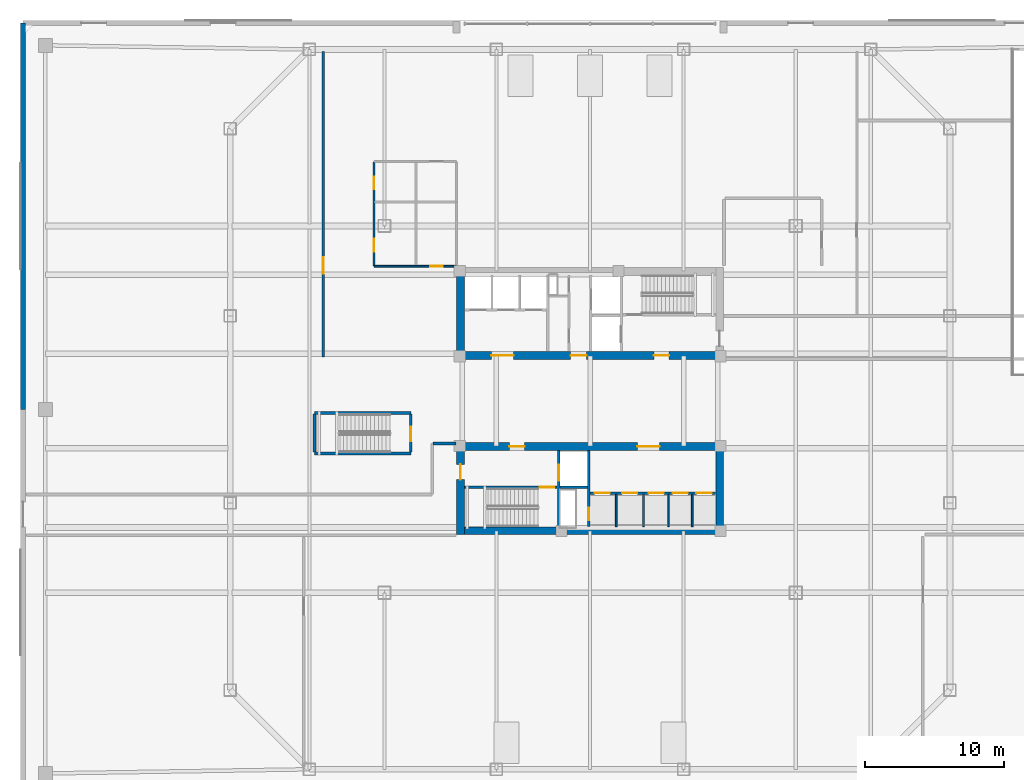
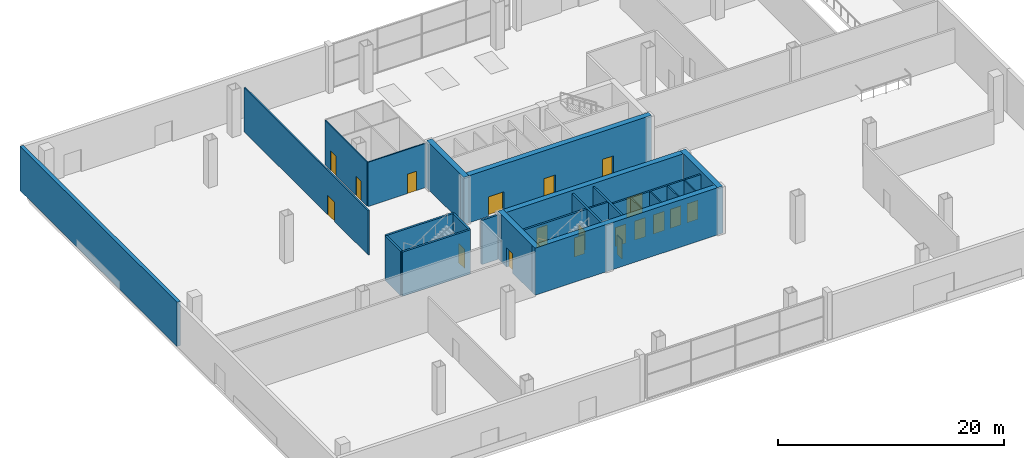
# One storey, part 12 of 21: 24 walls, 19 doors, 19 openings.
"""IFC4 building model written with IfcOpenShell, lengths in metres."""

from ifc_helpers import new_model, si_unit, direction, frame, frame_2d, origin, place, context, subcontext, project, spatial, rectangle, extrude, material, layer, layer_set, type_object, element, fill, save


model = new_model("IFC4")

# Units and contexts
model_context = context("Model", 3, precision=1e-05, world=origin(), true_north=direction((0.0, 1.0)))
body_context = subcontext(model_context, "Body", "Model", "MODEL_VIEW")
ifc_project = project(units=[si_unit("LENGTHUNIT", "METRE"), si_unit("AREAUNIT", "SQUARE_METRE"), si_unit("VOLUMEUNIT", "CUBIC_METRE"), si_unit("PLANEANGLEUNIT", "RADIAN"), si_unit("MASSUNIT", "GRAM", prefix="KILO")], contexts=[model_context])

# Site, building, storey
site_placement = place(None, origin())
site = spatial("IfcSite", under=ifc_project, at=site_placement, CompositionType="ELEMENT")
building_placement = place(site_placement, origin())
building = spatial("IfcBuilding", under=site, at=building_placement, Name="Qhalaya Broadcast Tower", CompositionType="ELEMENT")
storey_placement = place(building_placement, origin())
storey = spatial("IfcBuildingStorey", under=building, at=storey_placement, Name="L00", CompositionType="ELEMENT", Elevation=0.0)

# Wall, opening, door
ifc_material_1 = material(Name="Gypsum Acoustic Partition")
ifc_layer_1 = layer(ifc_material_1, 0.14990234375, Name="Gypsum Acoustic Partition")
ifc_layer_set_1 = layer_set([ifc_layer_1], Name="Gypsum Acoustic Partition")
wall_type_1 = type_object("IfcWallType", Name="Corridor & Tenancy Acoustic Partition 150", PredefinedType="PARTITIONING", material=ifc_layer_set_1)
wall_1_placement = place(storey_placement, frame((-19.199951171875, 3.760009765625, 0.0), z_axis=(0.0, 0.0, 1.0), x_axis=(0.0, 1.0, 0.0)))
wall_1 = element("IfcWall", 1, at=wall_1_placement, inside=storey, type_object=wall_type_1, Name="L00 Partition Wall W-CAF", PredefinedType="PARTITIONING", context=body_context, shape_type="SweptSolid", body=[
    extrude(rectangle(XDim=21.97998046875, YDim=0.14990234375, at=frame_2d((10.989990234375, 0.0))), origin(), (0.0, 0.0, 1.0), 4.780029296875),
])
opening_1_placement = place(wall_1_placement, frame((5.993896484375, 0.0, 0.0)))
opening_1 = element("IfcOpeningElement", 2, at=opening_1_placement, cuts=wall_1, Name="Opening D11", PredefinedType="OPENING", context=body_context, shape_type="SweptSolid", body=[
    extrude(rectangle(XDim=1.199951171875, YDim=2.10009765625, at=frame_2d((0.60009765625, 1.050048828125))), frame((0.0, 0.0869140625, 0.0), z_axis=(0.0, -1.0, 0.0), x_axis=(1.0, 0.0, 0.0)), (0.0, 0.0, 1.0), 0.173828125),
])
ifc_material_2 = material(Name="Anodised Aluminium Glazed Door", Category="aluminium")
door_type_1 = type_object("IfcDoorType", Name="Conference, Boardroom & Studio Control Door D11", OperationType="NOTDEFINED", PredefinedType="DOOR", material=ifc_material_2)
door_1_placement = place(opening_1_placement, origin())
door_1 = element("IfcDoor", 3, at=door_1_placement, inside=storey, type_object=door_type_1, Name="L00 Door D-CAF", OperationType="SINGLE_SWING_LEFT", OverallHeight=2.10009765625, OverallWidth=1.199951171875, PredefinedType="DOOR", context=body_context, shape_type="SweptSolid", body=[
    extrude(rectangle(XDim=1.199951171875, YDim=2.10009765625, at=frame_2d((0.60009765625, 1.050048828125))), frame((0.0, 0.02490234375, 0.0), z_axis=(0.0, -1.0, 0.0), x_axis=(1.0, 0.0, 0.0)), (0.0, 0.0, 1.0), 0.050048828125),
])
fill(opening_1, door_1)

# Walls
ifc_layer_2 = layer(ifc_material_1, 0.199951171875, Name="Gypsum Acoustic Partition")
ifc_layer_set_2 = layer_set([ifc_layer_2], Name="Gypsum Acoustic Partition")
wall_type_2 = type_object("IfcWallType", Name="Firefighting Lobby & Stair Enclosure Wall 200", PredefinedType="PARTITIONING", material=ifc_layer_set_2)
wall_2_placement = place(storey_placement, frame((-9.639892578125, -2.449951171875, 0.0), z_axis=(0.0, 0.0, 1.0), x_axis=(-1.0, 0.0, 0.0)))
element("IfcWall", 4, at=wall_2_placement, inside=storey, type_object=wall_type_2, Name="L00 Partition Wall W-EP2N1", PredefinedType="PARTITIONING", context=body_context, shape_type="SweptSolid", body=[
    extrude(rectangle(XDim=1.670166015625, YDim=0.199951171875, at=frame_2d((0.8349609375, 0.0))), origin(), (0.0, 0.0, 1.0), 4.780029296875),
])
ifc_material_3 = material(Name="Precast Concrete C40/50", Category="concrete")
ifc_layer_3 = layer(ifc_material_3, 0.360107421875, Name="Precast Concrete C40/50")
ifc_layer_set_3 = layer_set([ifc_layer_3], Name="Precast Concrete C40/50")
wall_type_3 = type_object("IfcWallType", Name="Insulated Precast Terracotta Exterior Wall 360", PredefinedType="SOLIDWALL", material=ifc_layer_set_3)
wall_3_placement = place(storey_placement, frame((-40.800048828125, 0.0, 0.0), z_axis=(0.0, 0.0, 1.0), x_axis=(0.0, 1.0, 0.0)))
element("IfcWall", 5, at=wall_3_placement, inside=storey, type_object=wall_type_3, Name="L00 Podium Exterior Terracotta Wall EW-WN", PredefinedType="SOLIDWALL", context=body_context, shape_type="SweptSolid", body=[
    extrude(rectangle(XDim=27.800048828125, YDim=0.360107421875, at=frame_2d((13.89990234375, 0.0))), origin(), (0.0, 0.0, 1.0), 4.780029296875),
])

# Wall, opening, door
ifc_material_4 = material(Name="Concrete C50/60", Category="concrete")
ifc_layer_4 = layer(ifc_material_4, 0.199951171875, Name="Concrete C50/60")
ifc_layer_set_4 = layer_set([ifc_layer_4], Name="Concrete C50/60")
wall_type_4 = type_object("IfcWallType", Name="Load-Bearing Stair Shaft Wall 200", PredefinedType="SHEAR", material=ifc_layer_set_4)
wall_4_placement = place(storey_placement, frame((-9.030029296875, -5.60498046875, 0.0), z_axis=(0.0, 0.0, 1.0), x_axis=(1.0, 0.0, 0.0)))
wall_4 = element("IfcWall", 6, at=wall_4_placement, inside=storey, type_object=wall_type_4, Name="L00 Stair Core Shear Wall SCW-ST2", PredefinedType="SHEAR", context=body_context, shape_type="SweptSolid", body=[
    extrude(rectangle(XDim=6.669921875, YDim=0.199951171875, at=frame_2d((3.3349609375, 0.0))), origin(), (0.0, 0.0, 1.0), 4.780029296875),
])
opening_2_placement = place(wall_4_placement, frame((5.39990234375, 0.0, 0.0)))
opening_2 = element("IfcOpeningElement", 7, at=opening_2_placement, cuts=wall_4, Name="Opening D03", PredefinedType="OPENING", context=body_context, shape_type="SweptSolid", body=[
    extrude(rectangle(XDim=1.050048828125, YDim=2.080078125, at=frame_2d((0.52490234375, 1.0400390625))), frame((0.0, 0.112060546875, 0.0), z_axis=(0.0, -1.0, 0.0), x_axis=(1.0, 0.0, 0.0)), (0.0, 0.0, 1.0), 0.223876953125),
])
ifc_material_5 = material(Name="Fire-Rated Steel Door", Category="steel")
door_type_2 = type_object("IfcDoorType", Name="Core Stair Protected Fire Door D03", OperationType="NOTDEFINED", PredefinedType="DOOR", material=ifc_material_5)
door_2_placement = place(opening_2_placement, origin())
door_2 = element("IfcDoor", 8, at=door_2_placement, inside=storey, type_object=door_type_2, Name="L00 Door D-SST2", OperationType="SINGLE_SWING_RIGHT", OverallHeight=2.080078125, OverallWidth=1.050048828125, PredefinedType="DOOR", context=body_context, shape_type="SweptSolid", body=[
    extrude(rectangle(XDim=1.050048828125, YDim=2.080078125, at=frame_2d((0.52490234375, 1.0400390625))), frame((0.0, 0.02490234375, 0.0), z_axis=(0.0, -1.0, 0.0), x_axis=(1.0, 0.0, 0.0)), (0.0, 0.0, 1.0), 0.050048828125),
])
fill(opening_2, door_2)

wall_5_placement = place(storey_placement, frame((-2.25, -8.429931640625, 0.0), z_axis=(0.0, 0.0, 1.0), x_axis=(0.0, 1.0, 0.0)))
wall_5 = element("IfcWall", 9, at=wall_5_placement, inside=storey, type_object=wall_type_4, Name="L00 Stair Core Shear Wall SCW-FF", PredefinedType="SHEAR", context=body_context, shape_type="SweptSolid", body=[
    extrude(rectangle(XDim=5.4599609375, YDim=0.199951171875, at=frame_2d((2.72998046875, 0.0))), origin(), (0.0, 0.0, 1.0), 4.780029296875),
])
opening_3_placement = place(wall_5_placement, frame((3.300048828125, 0.0, 0.0)))
opening_3 = element("IfcOpeningElement", 10, at=opening_3_placement, cuts=wall_5, Name="Opening LD2", PredefinedType="OPENING", context=body_context, shape_type="SweptSolid", body=[
    extrude(rectangle(XDim=1.14990234375, YDim=2.080078125, at=frame_2d((0.574951171875, 1.0400390625))), frame((0.0, 0.112060546875, 0.0), z_axis=(0.0, -1.0, 0.0), x_axis=(1.0, 0.0, 0.0)), (0.0, 0.0, 1.0), 0.223876953125),
])
ifc_material_6 = material(Name="Brushed Stainless Steel Lift Door", Category="steel")
door_type_3 = type_object("IfcDoorType", Name="Firefighting Lift Sliding Landing Door LD2", OperationType="DOUBLE_DOOR_SLIDING", PredefinedType="DOOR", material=ifc_material_6)
door_3_placement = place(opening_3_placement, origin())
door_3 = element("IfcDoor", 11, at=door_3_placement, inside=storey, type_object=door_type_3, Name="L00 Door LD-FF2", OperationType="DOUBLE_DOOR_SLIDING", OverallHeight=2.080078125, OverallWidth=1.14990234375, PredefinedType="DOOR", context=body_context, shape_type="SweptSolid", body=[
    extrude(rectangle(XDim=1.14990234375, YDim=2.080078125, at=frame_2d((0.574951171875, 1.0400390625))), frame((0.0, 0.02490234375, 0.0), z_axis=(0.0, -1.0, 0.0), x_axis=(1.0, 0.0, 0.0)), (0.0, 0.0, 1.0), 0.050048828125),
])
fill(opening_3, door_3)

# Walls
for number, where, z_axis, x_axis, name in (
    (12, (-19.830078125, -0.25, 0.0), (0.0, 0.0, 1.0), (1.0, 0.0, 0.0), "L00 Stair Core Shear Wall W-STP1N"),
    (13, (-19.830078125, -3.179931640625, 0.0), (0.0, 0.0, 1.0), (1.0, 0.0, 0.0), "L00 Stair Core Shear Wall W-STP1S"),
):
    element("IfcWall", number, at=place(storey_placement, frame(where, z_axis=z_axis, x_axis=x_axis)), inside=storey, type_object=wall_type_4, Name=name, PredefinedType="SHEAR", context=body_context, shape_type="SweptSolid", body=[
        extrude(rectangle(XDim=6.9599609375, YDim=0.199951171875, at=frame_2d((3.47998046875, 0.0))), origin(), (0.0, 0.0, 1.0), 4.780029296875),
    ])

# Wall, opening, door
wall_6_placement = place(storey_placement, frame((-12.89990234375, -0.340087890625, 0.0), z_axis=(0.0, 0.0, 1.0), x_axis=(0.0, -1.0, 0.0)))
wall_6 = element("IfcWall", 14, at=wall_6_placement, inside=storey, type_object=wall_type_4, Name="L00 Stair Core Shear Wall W-STP1E", PredefinedType="SHEAR", context=body_context, shape_type="SweptSolid", body=[
    extrude(rectangle(XDim=2.739990234375, YDim=0.199951171875, at=frame_2d((1.3701171875, 0.0))), origin(), (0.0, 0.0, 1.0), 4.780029296875),
])
opening_4_placement = place(wall_6_placement, frame((0.89501953125, 0.0, 0.0)))
opening_4 = element("IfcOpeningElement", 15, at=opening_4_placement, cuts=wall_6, Name="Opening D03", PredefinedType="OPENING", context=body_context, shape_type="SweptSolid", body=[
    extrude(rectangle(XDim=1.050048828125, YDim=2.080078125, at=frame_2d((0.52490234375, 1.0400390625))), frame((0.0, 0.112060546875, 0.0), z_axis=(0.0, -1.0, 0.0), x_axis=(1.0, 0.0, 0.0)), (0.0, 0.0, 1.0), 0.223876953125),
])
door_4_placement = place(opening_4_placement, origin())
door_4 = element("IfcDoor", 16, at=door_4_placement, inside=storey, type_object=door_type_2, Name="L00 Door D-STP1", OperationType="SINGLE_SWING_LEFT", OverallHeight=2.080078125, OverallWidth=1.050048828125, PredefinedType="DOOR", context=body_context, shape_type="SweptSolid", body=[
    extrude(rectangle(XDim=1.050048828125, YDim=2.080078125, at=frame_2d((0.52490234375, 1.0400390625))), frame((0.0, 0.02490234375, 0.0), z_axis=(0.0, -1.0, 0.0), x_axis=(1.0, 0.0, 0.0)), (0.0, 0.0, 1.0), 0.050048828125),
])
fill(opening_4, door_4)

# Wall
wall_7_placement = place(storey_placement, frame((-19.820068359375, -3.080078125, 0.0), z_axis=(0.0, 0.0, 1.0), x_axis=(0.0, 1.0, 0.0)))
element("IfcWall", 17, at=wall_7_placement, inside=storey, type_object=wall_type_4, Name="L00 Stair Core Shear Wall W-STP1W", PredefinedType="SHEAR", context=body_context, shape_type="SweptSolid", body=[
    extrude(rectangle(XDim=2.739990234375, YDim=0.199951171875, at=frame_2d((1.3701171875, 0.0))), origin(), (0.0, 0.0, 1.0), 4.780029296875),
])

# Wall, openings, doors
ifc_material_7 = material(Name="Concrete C60/75", Category="concrete")
ifc_layer_5 = layer(ifc_material_7, 0.550048828125, Name="Concrete C60/75")
ifc_layer_set_5 = layer_set([ifc_layer_5], Name="Concrete C60/75")
wall_type_5 = type_object("IfcWallType", Name="Lower Split-Core Shear Wall 550", PredefinedType="SHEAR", material=ifc_layer_set_5)
wall_8_placement = place(storey_placement, frame((-9.60009765625, 3.875, 0.0), z_axis=(0.0, 0.0, 1.0), x_axis=(1.0, 0.0, 0.0)))
wall_8 = element("IfcWall", 18, at=wall_8_placement, inside=storey, type_object=wall_type_5, Name="L00 Split-Core Shear Wall CW-NS", PredefinedType="SHEAR", context=body_context, shape_type="SweptSolid", body=[
    extrude(rectangle(XDim=19.2001953125, YDim=0.550048828125, at=frame_2d((9.60009765625, 0.0))), origin(), (0.0, 0.0, 1.0), 5.10009765625),
])
opening_5_placement = place(wall_8_placement, frame((14.199951171875, 0.0, 0.0)))
opening_5 = element("IfcOpeningElement", 19, at=opening_5_placement, cuts=wall_8, Name="Opening D04", PredefinedType="OPENING", context=body_context, shape_type="SweptSolid", body=[
    extrude(rectangle(XDim=1.10009765625, YDim=2.080078125, at=frame_2d((0.550048828125, 1.0400390625))), frame((0.0, 0.287109375, 0.0), z_axis=(0.0, -1.0, 0.0), x_axis=(1.0, 0.0, 0.0)), (0.0, 0.0, 1.0), 0.573974609375),
])
opening_6_placement = place(wall_8_placement, frame((8.199951171875, 0.0, 0.0)))
opening_6 = element("IfcOpeningElement", 20, at=opening_6_placement, cuts=wall_8, Name="Opening D05", PredefinedType="OPENING", context=body_context, shape_type="SweptSolid", body=[
    extrude(rectangle(XDim=1.14990234375, YDim=2.10009765625, at=frame_2d((0.574951171875, 1.050048828125))), frame((0.0, 0.287109375, 0.0), z_axis=(0.0, -1.0, 0.0), x_axis=(1.0, 0.0, 0.0)), (0.0, 0.0, 1.0), 0.573974609375),
])
opening_7_placement = place(wall_8_placement, frame((2.5, 0.0, 0.0)))
opening_7 = element("IfcOpeningElement", 21, at=opening_7_placement, cuts=wall_8, Name="Opening D07", PredefinedType="OPENING", context=body_context, shape_type="SweptSolid", body=[
    extrude(rectangle(XDim=1.60009765625, YDim=2.1201171875, at=frame_2d((0.800048828125, 1.06005859375))), frame((0.0, 0.287109375, 0.0), z_axis=(0.0, -1.0, 0.0), x_axis=(1.0, 0.0, 0.0)), (0.0, 0.0, 1.0), 0.573974609375),
])
door_type_4 = type_object("IfcDoorType", Name="Firefighting Lobby Rated Door D04", OperationType="NOTDEFINED", PredefinedType="DOOR", material=ifc_material_5)
door_5_placement = place(opening_5_placement, origin())
door_5 = element("IfcDoor", 22, at=door_5_placement, inside=storey, type_object=door_type_4, Name="L00 Door D-NFF", OperationType="SINGLE_SWING_RIGHT", OverallHeight=2.080078125, OverallWidth=1.10009765625, PredefinedType="DOOR", context=body_context, shape_type="SweptSolid", body=[
    extrude(rectangle(XDim=1.10009765625, YDim=2.080078125, at=frame_2d((0.550048828125, 1.0400390625))), frame((0.0, 0.02490234375, 0.0), z_axis=(0.0, -1.0, 0.0), x_axis=(1.0, 0.0, 0.0)), (0.0, 0.0, 1.0), 0.050048828125),
])
fill(opening_5, door_5)
door_type_5 = type_object("IfcDoorType", Name="Passenger Lift Lobby Double Glazed Door D07", OperationType="DOUBLE_DOOR_SINGLE_SWING", PredefinedType="DOOR", material=ifc_material_2)
door_6_placement = place(opening_7_placement, origin())
door_6 = element("IfcDoor", 23, at=door_6_placement, inside=storey, type_object=door_type_5, Name="L00 Door D-NPLL", OperationType="DOUBLE_DOOR_SINGLE_SWING", OverallHeight=2.1201171875, OverallWidth=1.60009765625, PredefinedType="DOOR", context=body_context, shape_type="SweptSolid", body=[
    extrude(rectangle(XDim=1.60009765625, YDim=2.1201171875, at=frame_2d((0.800048828125, 1.06005859375))), frame((0.0, 0.02490234375, 0.0), z_axis=(0.0, -1.0, 0.0), x_axis=(1.0, 0.0, 0.0)), (0.0, 0.0, 1.0), 0.050048828125),
])
fill(opening_7, door_6)
door_type_6 = type_object("IfcDoorType", Name="Refuge & Plant Room Fire Door D05", OperationType="NOTDEFINED", PredefinedType="DOOR", material=ifc_material_5)
door_7_placement = place(opening_6_placement, origin())
door_7 = element("IfcDoor", 24, at=door_7_placement, inside=storey, type_object=door_type_6, Name="L00 Door D-NSVL", OperationType="SINGLE_SWING_LEFT", OverallHeight=2.10009765625, OverallWidth=1.14990234375, PredefinedType="DOOR", context=body_context, shape_type="SweptSolid", body=[
    extrude(rectangle(XDim=1.14990234375, YDim=2.10009765625, at=frame_2d((0.574951171875, 1.050048828125))), frame((0.0, 0.02490234375, 0.0), z_axis=(0.0, -1.0, 0.0), x_axis=(1.0, 0.0, 0.0)), (0.0, 0.0, 1.0), 0.050048828125),
])
fill(opening_6, door_7)

# Walls
wall_9_placement = place(storey_placement, frame((-9.324951171875, 3.60009765625, 0.0), z_axis=(0.0, 0.0, 1.0), x_axis=(0.0, 1.0, 0.0)))
element("IfcWall", 25, at=wall_9_placement, inside=storey, type_object=wall_type_5, Name="L00 Split-Core Shear Wall CW-NW", PredefinedType="SHEAR", context=body_context, shape_type="SweptSolid", body=[
    extrude(rectangle(XDim=6.599853515625, YDim=0.550048828125, at=frame_2d((3.2998046875, 0.0))), origin(), (0.0, 0.0, 1.0), 5.10009765625),
])
wall_10_placement = place(storey_placement, frame((-9.60009765625, -8.72509765625, 0.0), z_axis=(0.0, 0.0, 1.0), x_axis=(1.0, 0.0, 0.0)))
element("IfcWall", 26, at=wall_10_placement, inside=storey, type_object=wall_type_5, Name="L00 Split-Core Shear Wall CW-SS", PredefinedType="SHEAR", context=body_context, shape_type="SweptSolid", body=[
    extrude(rectangle(XDim=19.2001953125, YDim=0.550048828125, at=frame_2d((9.60009765625, 0.0))), origin(), (0.0, 0.0, 1.0), 5.10009765625),
])

# Wall, openings, doors
wall_11_placement = place(storey_placement, frame((-9.60009765625, -2.675048828125, 0.0), z_axis=(0.0, 0.0, 1.0), x_axis=(1.0, 0.0, 0.0)))
wall_11 = element("IfcWall", 27, at=wall_11_placement, inside=storey, type_object=wall_type_5, Name="L00 Split-Core Shear Wall CW-SN", PredefinedType="SHEAR", context=body_context, shape_type="SweptSolid", body=[
    extrude(rectangle(XDim=19.2001953125, YDim=0.550048828125, at=frame_2d((9.60009765625, 0.0))), origin(), (0.0, 0.0, 1.0), 5.10009765625),
])
opening_8_placement = place(wall_11_placement, frame((3.800048828125, 0.0, 0.0)))
opening_8 = element("IfcOpeningElement", 28, at=opening_8_placement, cuts=wall_11, Name="Opening D04", PredefinedType="OPENING", context=body_context, shape_type="SweptSolid", body=[
    extrude(rectangle(XDim=1.10009765625, YDim=2.080078125, at=frame_2d((0.550048828125, 1.0400390625))), frame((0.0, 0.287109375, 0.0), z_axis=(0.0, -1.0, 0.0), x_axis=(1.0, 0.0, 0.0)), (0.0, 0.0, 1.0), 0.573974609375),
])
opening_9_placement = place(wall_11_placement, frame((13.0, 0.0, 0.0)))
opening_9 = element("IfcOpeningElement", 29, at=opening_9_placement, cuts=wall_11, Name="Opening D07", PredefinedType="OPENING", context=body_context, shape_type="SweptSolid", body=[
    extrude(rectangle(XDim=1.60009765625, YDim=2.1201171875, at=frame_2d((0.800048828125, 1.06005859375))), frame((0.0, 0.287109375, 0.0), z_axis=(0.0, -1.0, 0.0), x_axis=(1.0, 0.0, 0.0)), (0.0, 0.0, 1.0), 0.573974609375),
])
door_8_placement = place(opening_8_placement, origin())
door_8 = element("IfcDoor", 30, at=door_8_placement, inside=storey, type_object=door_type_4, Name="L00 Door D-SFF", OperationType="SINGLE_SWING_LEFT", OverallHeight=2.080078125, OverallWidth=1.10009765625, PredefinedType="DOOR", context=body_context, shape_type="SweptSolid", body=[
    extrude(rectangle(XDim=1.10009765625, YDim=2.080078125, at=frame_2d((0.550048828125, 1.0400390625))), frame((0.0, 0.02490234375, 0.0), z_axis=(0.0, -1.0, 0.0), x_axis=(1.0, 0.0, 0.0)), (0.0, 0.0, 1.0), 0.050048828125),
])
fill(opening_8, door_8)
door_9_placement = place(opening_9_placement, origin())
door_9 = element("IfcDoor", 31, at=door_9_placement, inside=storey, type_object=door_type_5, Name="L00 Door D-SPLL", OperationType="DOUBLE_DOOR_SINGLE_SWING", OverallHeight=2.1201171875, OverallWidth=1.60009765625, PredefinedType="DOOR", context=body_context, shape_type="SweptSolid", body=[
    extrude(rectangle(XDim=1.60009765625, YDim=2.1201171875, at=frame_2d((0.800048828125, 1.06005859375))), frame((0.0, 0.02490234375, 0.0), z_axis=(0.0, -1.0, 0.0), x_axis=(1.0, 0.0, 0.0)), (0.0, 0.0, 1.0), 0.050048828125),
])
fill(opening_9, door_9)

# Wall, opening, door
wall_12_placement = place(storey_placement, frame((-9.324951171875, -9.0, 0.0), z_axis=(0.0, 0.0, 1.0), x_axis=(0.0, 1.0, 0.0)))
wall_12 = element("IfcWall", 32, at=wall_12_placement, inside=storey, type_object=wall_type_5, Name="L00 Split-Core Shear Wall CW-SW", PredefinedType="SHEAR", context=body_context, shape_type="SweptSolid", body=[
    extrude(rectangle(XDim=6.60009765625, YDim=0.550048828125, at=frame_2d((3.300048828125, 0.0))), origin(), (0.0, 0.0, 1.0), 5.10009765625),
])
opening_10_placement = place(wall_12_placement, frame((3.949951171875, 0.0, 0.0)))
opening_10 = element("IfcOpeningElement", 33, at=opening_10_placement, cuts=wall_12, Name="Opening D04", PredefinedType="OPENING", context=body_context, shape_type="SweptSolid", body=[
    extrude(rectangle(XDim=1.10009765625, YDim=2.080078125, at=frame_2d((0.550048828125, 1.0400390625))), frame((0.0, 0.287109375, 0.0), z_axis=(0.0, -1.0, 0.0), x_axis=(1.0, 0.0, 0.0)), (0.0, 0.0, 1.0), 0.573974609375),
])
door_10_placement = place(opening_10_placement, origin())
door_10 = element("IfcDoor", 34, at=door_10_placement, inside=storey, type_object=door_type_4, Name="L00 Door D-FF2-EP2", OperationType="SINGLE_SWING_RIGHT", OverallHeight=2.080078125, OverallWidth=1.10009765625, PredefinedType="DOOR", context=body_context, shape_type="SweptSolid", body=[
    extrude(rectangle(XDim=1.10009765625, YDim=2.080078125, at=frame_2d((0.550048828125, 1.0400390625))), frame((0.0, 0.02490234375, 0.0), z_axis=(0.0, -1.0, 0.0), x_axis=(1.0, 0.0, 0.0)), (0.0, 0.0, 1.0), 0.050048828125),
])
fill(opening_10, door_10)

# Walls
wall_13_placement = place(storey_placement, frame((9.324951171875, -9.0, 0.0), z_axis=(0.0, 0.0, 1.0), x_axis=(0.0, 1.0, 0.0)))
element("IfcWall", 35, at=wall_13_placement, inside=storey, type_object=wall_type_5, Name="L00 Split-Core Shear Wall CW-SE", PredefinedType="SHEAR", context=body_context, shape_type="SweptSolid", body=[
    extrude(rectangle(XDim=6.60009765625, YDim=0.550048828125, at=frame_2d((3.300048828125, 0.0))), origin(), (0.0, 0.0, 1.0), 5.10009765625),
])
ifc_layer_6 = layer(ifc_material_1, 0.1201171875, Name="Gypsum Acoustic Partition")
ifc_layer_set_6 = layer_set([ifc_layer_6], Name="Gypsum Acoustic Partition")
wall_type_6 = type_object("IfcWallType", Name="Office, Booth & Sanitary Partition 120", PredefinedType="PARTITIONING", material=ifc_layer_set_6)
for number, where, z_axis, x_axis, name in (
    (36, (1.8798828125, -8.429931640625, 0.0), (0.0, 0.0, 1.0), (0.0, 1.0, 0.0), "L00 Partition Wall SCW-MD4"),
    (37, (3.85009765625, -8.429931640625, 0.0), (0.0, 0.0, 1.0), (0.0, 1.0, 0.0), "L00 Partition Wall SCW-MD5"),
    (38, (5.639892578125, -8.429931640625, 0.0), (0.0, 0.0, 1.0), (0.0, 1.0, 0.0), "L00 Partition Wall SCW-HD6"),
    (39, (7.360107421875, -8.429931640625, 0.0), (0.0, 0.0, 1.0), (0.0, 1.0, 0.0), "L00 Partition Wall SCW-HD7"),
):
    element("IfcWall", number, at=place(storey_placement, frame(where, z_axis=z_axis, x_axis=x_axis)), inside=storey, type_object=wall_type_6, Name=name, PredefinedType="PARTITIONING", context=body_context, shape_type="SweptSolid", body=[
        extrude(rectangle(XDim=2.329833984375, YDim=0.1201171875, at=frame_2d((1.1650390625, 0.0))), origin(), (0.0, 0.0, 1.0), 4.780029296875),
    ])

# Wall, opening, door
wall_14_placement = place(storey_placement, frame((-15.530029296875, 10.300048828125, 0.0), z_axis=(0.0, 0.0, 1.0), x_axis=(1.0, 0.0, 0.0)))
wall_14 = element("IfcWall", 40, at=wall_14_placement, inside=storey, type_object=wall_type_6, Name="L00 Partition Wall W-WC0S", PredefinedType="PARTITIONING", context=body_context, shape_type="SweptSolid", body=[
    extrude(rectangle(XDim=5.909912109375, YDim=0.1201171875, at=frame_2d((2.955078125, 0.0))), origin(), (0.0, 0.0, 1.0), 4.780029296875),
])
opening_11_placement = place(wall_14_placement, frame((4.01708984375, 0.0, 0.0)))
opening_11 = element("IfcOpeningElement", 41, at=opening_11_placement, cuts=wall_14, Name="Opening D12", PredefinedType="OPENING", context=body_context, shape_type="SweptSolid", body=[
    extrude(rectangle(XDim=0.919921875, YDim=2.10009765625, at=frame_2d((0.4599609375, 1.050048828125))), frame((0.0, 0.072021484375, 0.0), z_axis=(0.0, -1.0, 0.0), x_axis=(1.0, 0.0, 0.0)), (0.0, 0.0, 1.0), 0.14404296875),
])
ifc_material_8 = material(Name="Timber Veneer Acoustic Door", Category="wood")
door_type_7 = type_object("IfcDoorType", Name="Accessible WC & Restroom Door D12", OperationType="NOTDEFINED", PredefinedType="DOOR", material=ifc_material_8)
door_11_placement = place(opening_11_placement, origin())
door_11 = element("IfcDoor", 42, at=door_11_placement, inside=storey, type_object=door_type_7, Name="L00 Door D-WC0F", OperationType="SINGLE_SWING_LEFT", OverallHeight=2.10009765625, OverallWidth=0.919921875, PredefinedType="DOOR", context=body_context, shape_type="SweptSolid", body=[
    extrude(rectangle(XDim=0.919921875, YDim=2.10009765625, at=frame_2d((0.4599609375, 1.050048828125))), frame((0.0, 0.02490234375, 0.0), z_axis=(0.0, -1.0, 0.0), x_axis=(1.0, 0.0, 0.0)), (0.0, 0.0, 1.0), 0.050048828125),
])
fill(opening_11, door_11)

# Wall, openings, doors
wall_15_placement = place(storey_placement, frame((-15.550048828125, 10.340087890625, 0.0), z_axis=(0.0, 0.0, 1.0), x_axis=(0.0, 1.0, 0.0)))
wall_15 = element("IfcWall", 43, at=wall_15_placement, inside=storey, type_object=wall_type_6, Name="L00 Partition Wall W-WC0W", PredefinedType="PARTITIONING", context=body_context, shape_type="SweptSolid", body=[
    extrude(rectangle(XDim=7.4599609375, YDim=0.1201171875, at=frame_2d((3.72998046875, 0.0))), origin(), (0.0, 0.0, 1.0), 4.780029296875),
])
opening_12_placement = place(wall_15_placement, frame((1.013916015625, 0.0, 0.0)))
opening_12 = element("IfcOpeningElement", 44, at=opening_12_placement, cuts=wall_15, Name="Opening D12", PredefinedType="OPENING", context=body_context, shape_type="SweptSolid", body=[
    extrude(rectangle(XDim=0.919921875, YDim=2.10009765625, at=frame_2d((0.4599609375, 1.050048828125))), frame((0.0, 0.072021484375, 0.0), z_axis=(0.0, -1.0, 0.0), x_axis=(1.0, 0.0, 0.0)), (0.0, 0.0, 1.0), 0.14404296875),
])
opening_13_placement = place(wall_15_placement, frame((5.492919921875, 0.0, 0.0)))
opening_13 = element("IfcOpeningElement", 45, at=opening_13_placement, cuts=wall_15, Name="Opening D12", PredefinedType="OPENING", context=body_context, shape_type="SweptSolid", body=[
    extrude(rectangle(XDim=0.919921875, YDim=2.10009765625, at=frame_2d((0.4599609375, 1.050048828125))), frame((0.0, 0.072021484375, 0.0), z_axis=(0.0, -1.0, 0.0), x_axis=(1.0, 0.0, 0.0)), (0.0, 0.0, 1.0), 0.14404296875),
])
door_12_placement = place(opening_12_placement, origin())
door_12 = element("IfcDoor", 46, at=door_12_placement, inside=storey, type_object=door_type_7, Name="L00 Door D-WC0M", OperationType="SINGLE_SWING_RIGHT", OverallHeight=2.10009765625, OverallWidth=0.919921875, PredefinedType="DOOR", context=body_context, shape_type="SweptSolid", body=[
    extrude(rectangle(XDim=0.919921875, YDim=2.10009765625, at=frame_2d((0.4599609375, 1.050048828125))), frame((0.0, 0.02490234375, 0.0), z_axis=(0.0, -1.0, 0.0), x_axis=(1.0, 0.0, 0.0)), (0.0, 0.0, 1.0), 0.050048828125),
])
fill(opening_12, door_12)
door_13_placement = place(opening_13_placement, origin())
door_13 = element("IfcDoor", 47, at=door_13_placement, inside=storey, type_object=door_type_7, Name="L00 Door D-WC0A", OperationType="SINGLE_SWING_LEFT", OverallHeight=2.10009765625, OverallWidth=0.919921875, PredefinedType="DOOR", context=body_context, shape_type="SweptSolid", body=[
    extrude(rectangle(XDim=0.919921875, YDim=2.10009765625, at=frame_2d((0.4599609375, 1.050048828125))), frame((0.0, 0.02490234375, 0.0), z_axis=(0.0, -1.0, 0.0), x_axis=(1.0, 0.0, 0.0)), (0.0, 0.0, 1.0), 0.050048828125),
])
fill(opening_13, door_13)

# Wall, opening, door
ifc_layer_7 = layer(ifc_material_1, 0.175048828125, Name="Gypsum Acoustic Partition")
ifc_layer_set_7 = layer_set([ifc_layer_7], Name="Gypsum Acoustic Partition")
wall_type_7 = type_object("IfcWallType", Name="Shaft & Riser Fire Partition 175", PredefinedType="PARTITIONING", material=ifc_layer_set_7)
wall_16_placement = place(storey_placement, frame((-0.10009765625, -8.429931640625, 0.0), z_axis=(0.0, 0.0, 1.0), x_axis=(0.0, 1.0, 0.0)))
wall_16 = element("IfcWall", 48, at=wall_16_placement, inside=storey, type_object=wall_type_7, Name="L00 Partition Wall SCW-FFE", PredefinedType="PARTITIONING", context=body_context, shape_type="SweptSolid", body=[
    extrude(rectangle(XDim=5.4599609375, YDim=0.175048828125, at=frame_2d((2.72998046875, 0.0))), origin(), (0.0, 0.0, 1.0), 4.780029296875),
])
opening_14_placement = place(wall_16_placement, frame((0.449951171875, 0.0, 0.0)))
opening_14 = element("IfcOpeningElement", 49, at=opening_14_placement, cuts=wall_16, Name="Opening D06", PredefinedType="OPENING", context=body_context, shape_type="SweptSolid", body=[
    extrude(rectangle(XDim=0.89990234375, YDim=2.050048828125, at=frame_2d((0.449951171875, 1.02490234375))), frame((0.0, 0.099609375, 0.0), z_axis=(0.0, -1.0, 0.0), x_axis=(1.0, 0.0, 0.0)), (0.0, 0.0, 1.0), 0.198974609375),
])
door_type_8 = type_object("IfcDoorType", Name="Riser & Electrical Shaft Access Door D06", OperationType="NOTDEFINED", PredefinedType="DOOR", material=ifc_material_5)
door_14_placement = place(opening_14_placement, origin())
door_14 = element("IfcDoor", 50, at=door_14_placement, inside=storey, type_object=door_type_8, Name="L00 Riser Shaft Access Door D-SRSR", OperationType="SINGLE_SWING_LEFT", OverallHeight=2.050048828125, OverallWidth=0.89990234375, PredefinedType="DOOR", context=body_context, shape_type="SweptSolid", body=[
    extrude(rectangle(XDim=0.89990234375, YDim=2.050048828125, at=frame_2d((0.449951171875, 1.02490234375))), frame((0.0, 0.02490234375, 0.0), z_axis=(0.0, -1.0, 0.0), x_axis=(1.0, 0.0, 0.0)), (0.0, 0.0, 1.0), 0.050048828125),
])
fill(opening_14, door_14)

# Wall
wall_17_placement = place(storey_placement, frame((-2.14990234375, -5.60009765625, 0.0), z_axis=(0.0, 0.0, 1.0), x_axis=(1.0, 0.0, 0.0)))
element("IfcWall", 51, at=wall_17_placement, inside=storey, type_object=wall_type_7, Name="L00 Partition Wall SCW-FFM", PredefinedType="PARTITIONING", context=body_context, shape_type="SweptSolid", body=[
    extrude(rectangle(XDim=1.969970703125, YDim=0.175048828125, at=frame_2d((0.98486328125, 0.0))), origin(), (0.0, 0.0, 1.0), 4.780029296875),
])

# Wall, openings, doors
wall_18_placement = place(storey_placement, frame((0.0, -6.02001953125, 0.0), z_axis=(0.0, 0.0, 1.0), x_axis=(1.0, 0.0, 0.0)))
wall_18 = element("IfcWall", 52, at=wall_18_placement, inside=storey, type_object=wall_type_7, Name="L00 Partition Wall SCW-SLB", PredefinedType="PARTITIONING", context=body_context, shape_type="SweptSolid", body=[
    extrude(rectangle(XDim=9.030029296875, YDim=0.175048828125, at=frame_2d((4.51513671875, 0.0))), origin(), (0.0, 0.0, 1.0), 4.780029296875),
])
opening_15_placement = place(wall_18_placement, frame((0.330078125, 0.0, 0.0)))
opening_15 = element("IfcOpeningElement", 53, at=opening_15_placement, cuts=wall_18, Name="Opening LD1", PredefinedType="OPENING", context=body_context, shape_type="SweptSolid", body=[
    extrude(rectangle(XDim=1.10009765625, YDim=2.06005859375, at=frame_2d((0.550048828125, 1.030029296875))), frame((0.0, 0.099609375, 0.0), z_axis=(0.0, -1.0, 0.0), x_axis=(1.0, 0.0, 0.0)), (0.0, 0.0, 1.0), 0.198974609375),
])
opening_16_placement = place(wall_18_placement, frame((2.300048828125, 0.0, 0.0)))
opening_16 = element("IfcOpeningElement", 54, at=opening_16_placement, cuts=wall_18, Name="Opening LD1", PredefinedType="OPENING", context=body_context, shape_type="SweptSolid", body=[
    extrude(rectangle(XDim=1.10009765625, YDim=2.06005859375, at=frame_2d((0.550048828125, 1.030029296875))), frame((0.0, 0.099609375, 0.0), z_axis=(0.0, -1.0, 0.0), x_axis=(1.0, 0.0, 0.0)), (0.0, 0.0, 1.0), 0.198974609375),
])
opening_17_placement = place(wall_18_placement, frame((4.219970703125, 0.0, 0.0)))
opening_17 = element("IfcOpeningElement", 55, at=opening_17_placement, cuts=wall_18, Name="Opening LD1", PredefinedType="OPENING", context=body_context, shape_type="SweptSolid", body=[
    extrude(rectangle(XDim=1.10009765625, YDim=2.06005859375, at=frame_2d((0.550048828125, 1.030029296875))), frame((0.0, 0.099609375, 0.0), z_axis=(0.0, -1.0, 0.0), x_axis=(1.0, 0.0, 0.0)), (0.0, 0.0, 1.0), 0.198974609375),
])
opening_18_placement = place(wall_18_placement, frame((5.93994140625, 0.0, 0.0)))
opening_18 = element("IfcOpeningElement", 56, at=opening_18_placement, cuts=wall_18, Name="Opening LD1", PredefinedType="OPENING", context=body_context, shape_type="SweptSolid", body=[
    extrude(rectangle(XDim=1.10009765625, YDim=2.06005859375, at=frame_2d((0.550048828125, 1.030029296875))), frame((0.0, 0.099609375, 0.0), z_axis=(0.0, -1.0, 0.0), x_axis=(1.0, 0.0, 0.0)), (0.0, 0.0, 1.0), 0.198974609375),
])
opening_19_placement = place(wall_18_placement, frame((7.659912109375, 0.0, 0.0)))
opening_19 = element("IfcOpeningElement", 57, at=opening_19_placement, cuts=wall_18, Name="Opening LD1", PredefinedType="OPENING", context=body_context, shape_type="SweptSolid", body=[
    extrude(rectangle(XDim=1.10009765625, YDim=2.06005859375, at=frame_2d((0.550048828125, 1.030029296875))), frame((0.0, 0.099609375, 0.0), z_axis=(0.0, -1.0, 0.0), x_axis=(1.0, 0.0, 0.0)), (0.0, 0.0, 1.0), 0.198974609375),
])
door_type_9 = type_object("IfcDoorType", Name="Passenger Lift Sliding Landing Door LD1", OperationType="DOUBLE_DOOR_SLIDING", PredefinedType="DOOR", material=ifc_material_6)
door_15_placement = place(opening_15_placement, origin())
door_15 = element("IfcDoor", 58, at=door_15_placement, inside=storey, type_object=door_type_9, Name="L00 Door LD-P4", OperationType="DOUBLE_DOOR_SLIDING", OverallHeight=2.06005859375, OverallWidth=1.10009765625, PredefinedType="DOOR", context=body_context, shape_type="SweptSolid", body=[
    extrude(rectangle(XDim=1.10009765625, YDim=2.06005859375, at=frame_2d((0.550048828125, 1.030029296875))), frame((0.0, 0.02490234375, 0.0), z_axis=(0.0, -1.0, 0.0), x_axis=(1.0, 0.0, 0.0)), (0.0, 0.0, 1.0), 0.050048828125),
])
fill(opening_15, door_15)
door_16_placement = place(opening_16_placement, origin())
door_16 = element("IfcDoor", 59, at=door_16_placement, inside=storey, type_object=door_type_9, Name="L00 Door LD-P5", OperationType="DOUBLE_DOOR_SLIDING", OverallHeight=2.06005859375, OverallWidth=1.10009765625, PredefinedType="DOOR", context=body_context, shape_type="SweptSolid", body=[
    extrude(rectangle(XDim=1.10009765625, YDim=2.06005859375, at=frame_2d((0.550048828125, 1.030029296875))), frame((0.0, 0.02490234375, 0.0), z_axis=(0.0, -1.0, 0.0), x_axis=(1.0, 0.0, 0.0)), (0.0, 0.0, 1.0), 0.050048828125),
])
fill(opening_16, door_16)
door_17_placement = place(opening_17_placement, origin())
door_17 = element("IfcDoor", 60, at=door_17_placement, inside=storey, type_object=door_type_9, Name="L00 Door LD-P6", OperationType="DOUBLE_DOOR_SLIDING", OverallHeight=2.06005859375, OverallWidth=1.10009765625, PredefinedType="DOOR", context=body_context, shape_type="SweptSolid", body=[
    extrude(rectangle(XDim=1.10009765625, YDim=2.06005859375, at=frame_2d((0.550048828125, 1.030029296875))), frame((0.0, 0.02490234375, 0.0), z_axis=(0.0, -1.0, 0.0), x_axis=(1.0, 0.0, 0.0)), (0.0, 0.0, 1.0), 0.050048828125),
])
fill(opening_17, door_17)
door_18_placement = place(opening_18_placement, origin())
door_18 = element("IfcDoor", 61, at=door_18_placement, inside=storey, type_object=door_type_9, Name="L00 Door LD-P7", OperationType="DOUBLE_DOOR_SLIDING", OverallHeight=2.06005859375, OverallWidth=1.10009765625, PredefinedType="DOOR", context=body_context, shape_type="SweptSolid", body=[
    extrude(rectangle(XDim=1.10009765625, YDim=2.06005859375, at=frame_2d((0.550048828125, 1.030029296875))), frame((0.0, 0.02490234375, 0.0), z_axis=(0.0, -1.0, 0.0), x_axis=(1.0, 0.0, 0.0)), (0.0, 0.0, 1.0), 0.050048828125),
])
fill(opening_18, door_18)
door_19_placement = place(opening_19_placement, origin())
door_19 = element("IfcDoor", 62, at=door_19_placement, inside=storey, type_object=door_type_9, Name="L00 Door LD-P8", OperationType="DOUBLE_DOOR_SLIDING", OverallHeight=2.06005859375, OverallWidth=1.10009765625, PredefinedType="DOOR", context=body_context, shape_type="SweptSolid", body=[
    extrude(rectangle(XDim=1.10009765625, YDim=2.06005859375, at=frame_2d((0.550048828125, 1.030029296875))), frame((0.0, 0.02490234375, 0.0), z_axis=(0.0, -1.0, 0.0), x_axis=(1.0, 0.0, 0.0)), (0.0, 0.0, 1.0), 0.050048828125),
])
fill(opening_19, door_19)

save(model, "model.ifc")
